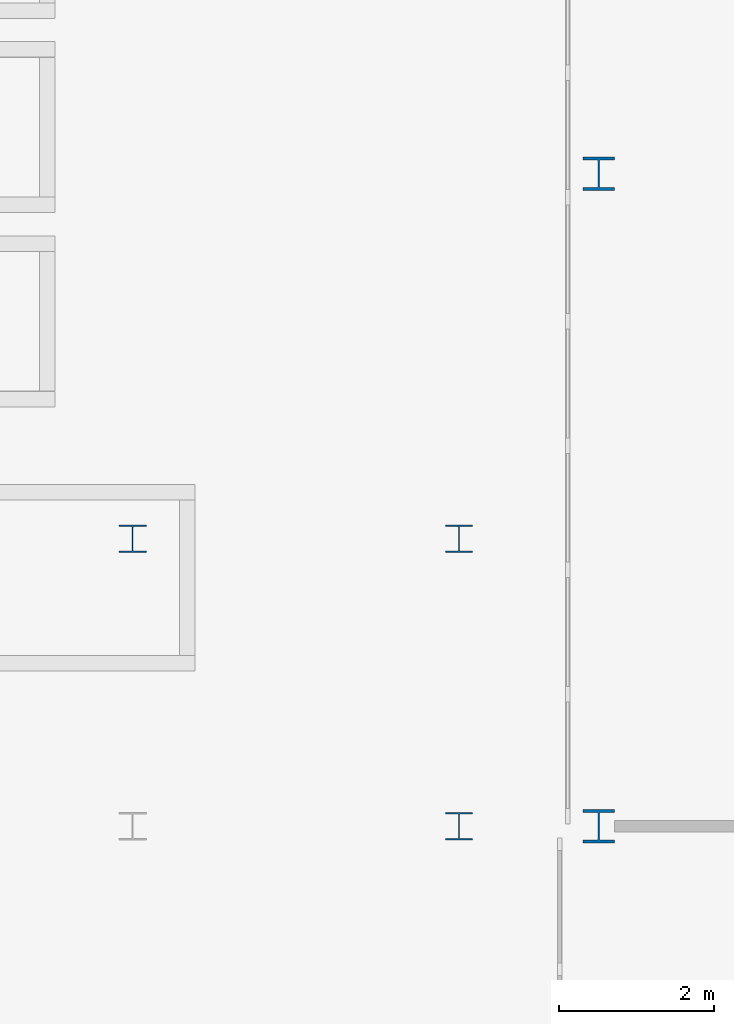
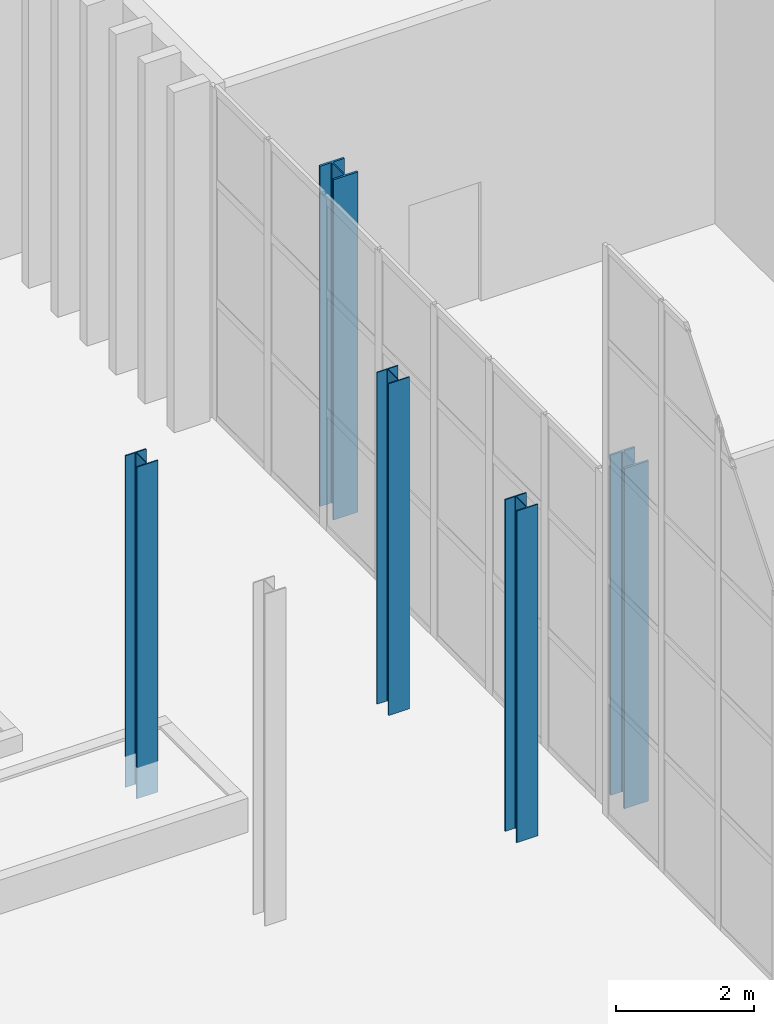
# One storey, part 31 of 108: 5 columns.
"""IFC4 building model written with IfcOpenShell, lengths in metres."""

from ifc_helpers import new_model, si_unit, direction, frame, origin, origin_2d, place, context, subcontext, project, spatial, i_section, extrude, material, material_profile, profile_set, type_object, element, save


model = new_model("IFC4")

# Units and contexts
model_context = context("Model", 3, precision=1e-05, world=origin(), true_north=direction((0.0, 1.0)))
body_context = subcontext(model_context, "Body", "Model", "MODEL_VIEW")
ifc_project = project(units=[si_unit("LENGTHUNIT", "METRE"), si_unit("AREAUNIT", "SQUARE_METRE"), si_unit("VOLUMEUNIT", "CUBIC_METRE"), si_unit("PLANEANGLEUNIT", "RADIAN"), si_unit("MASSUNIT", "GRAM", prefix="KILO")], contexts=[model_context])

# Site, building, storey
site_placement = place(None, origin())
site = spatial("IfcSite", under=ifc_project, at=site_placement, CompositionType="ELEMENT")
building_placement = place(site_placement, origin())
building = spatial("IfcBuilding", under=site, at=building_placement, Name="Cresset Court Congress Hotel", CompositionType="ELEMENT")
storey_placement = place(building_placement, origin())
storey = spatial("IfcBuildingStorey", under=building, at=storey_placement, Name="L00", CompositionType="ELEMENT", Elevation=0.0)

# Columns
ifc_material_1 = material(Name="Structural steel Q355B", Category="steel")
ifc_material_profile_1 = material_profile(ifc_material_1, i_section(OverallWidth=0.35009765625, OverallDepth=0.35009765625, WebThickness=0.011962890625, FlangeThickness=0.01904296875, FilletRadius=0.012939453125, at=origin_2d()), Name="HW350x350x12x19")
ifc_profile_set_1 = profile_set([ifc_material_profile_1], Name="Structural steel Q355B")
column_type_1 = type_object("IfcColumnType", Name="Steel column HW350x350x12x19", PredefinedType="COLUMN", material=ifc_profile_set_1)
for number, where, z_axis, x_axis, name in (
    (1, (155.39990234375, 42.0, 0.0), (0.0, 0.0, 1.0), (1.0, 0.0, 0.0), "Deck column R319"),
    (2, (151.199951171875, 45.699951171875, 0.0), (0.0, 0.0, 1.0), (1.0, 0.0, 0.0), "Deck column T1"),
    (3, (155.39990234375, 45.699951171875, 0.0), (0.0, 0.0, 1.0), (1.0, 0.0, 0.0), "Deck column T2"),
):
    element("IfcColumn", number, at=place(storey_placement, frame(where, z_axis=z_axis, x_axis=x_axis)), inside=storey, type_object=column_type_1, Name=name, PredefinedType="COLUMN", context=body_context, shape_type="SweptSolid", body=[
        extrude(i_section(OverallWidth=0.35009765625, OverallDepth=0.35009765625, WebThickness=0.011962890625, FlangeThickness=0.01904296875, FilletRadius=0.012939453125, at=origin_2d()), origin(), (0.0, 0.0, 1.0), 5.85009765625),
    ])
ifc_material_2 = material(Name="Structural steel Q355B", Category="steel")
ifc_material_profile_2 = material_profile(ifc_material_2, i_section(OverallWidth=0.406982421875, OverallDepth=0.427978515625, WebThickness=0.02001953125, FlangeThickness=0.034912109375, FilletRadius=0.02197265625, at=origin_2d()), Name="HW428x407x20x35")
ifc_profile_set_2 = profile_set([ifc_material_profile_2], Name="Structural steel Q355B")
column_type_2 = type_object("IfcColumnType", Name="Steel column HW428x407x20x35", PredefinedType="COLUMN", material=ifc_profile_set_2)
for number, where, z_axis, x_axis, name in (
    (4, (157.199951171875, 42.0, 0.0), (0.0, 0.0, 1.0), (1.0, 0.0, 0.0), "Column L00 6-20"),
    (5, (157.199951171875, 50.39990234375, 0.0), (0.0, 0.0, 1.0), (1.0, 0.0, 0.0), "Column L00 7-20"),
):
    element("IfcColumn", number, at=place(storey_placement, frame(where, z_axis=z_axis, x_axis=x_axis)), inside=storey, type_object=column_type_2, Name=name, PredefinedType="COLUMN", context=body_context, shape_type="SweptSolid", body=[
        extrude(i_section(OverallWidth=0.406982421875, OverallDepth=0.427978515625, WebThickness=0.02001953125, FlangeThickness=0.034912109375, FilletRadius=0.02197265625, at=origin_2d()), origin(), (0.0, 0.0, 1.0), 6.0),
    ])

save(model, "model.ifc")
